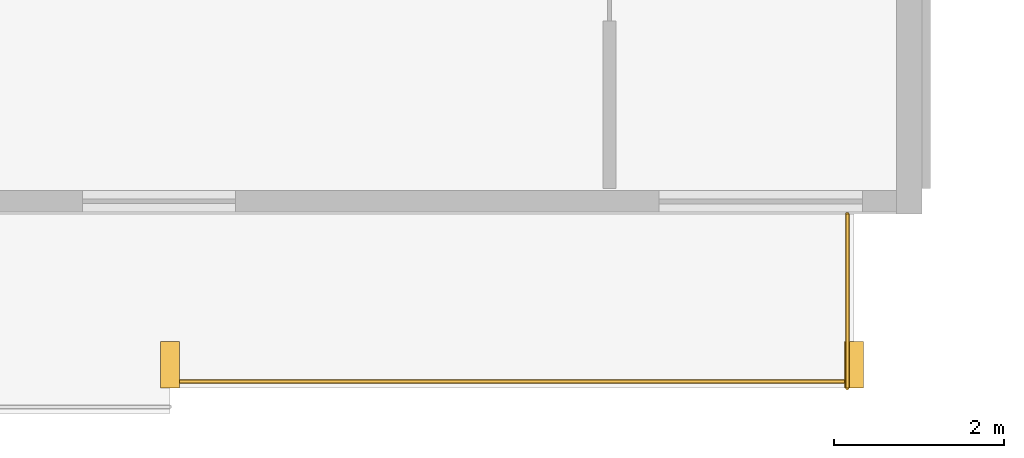
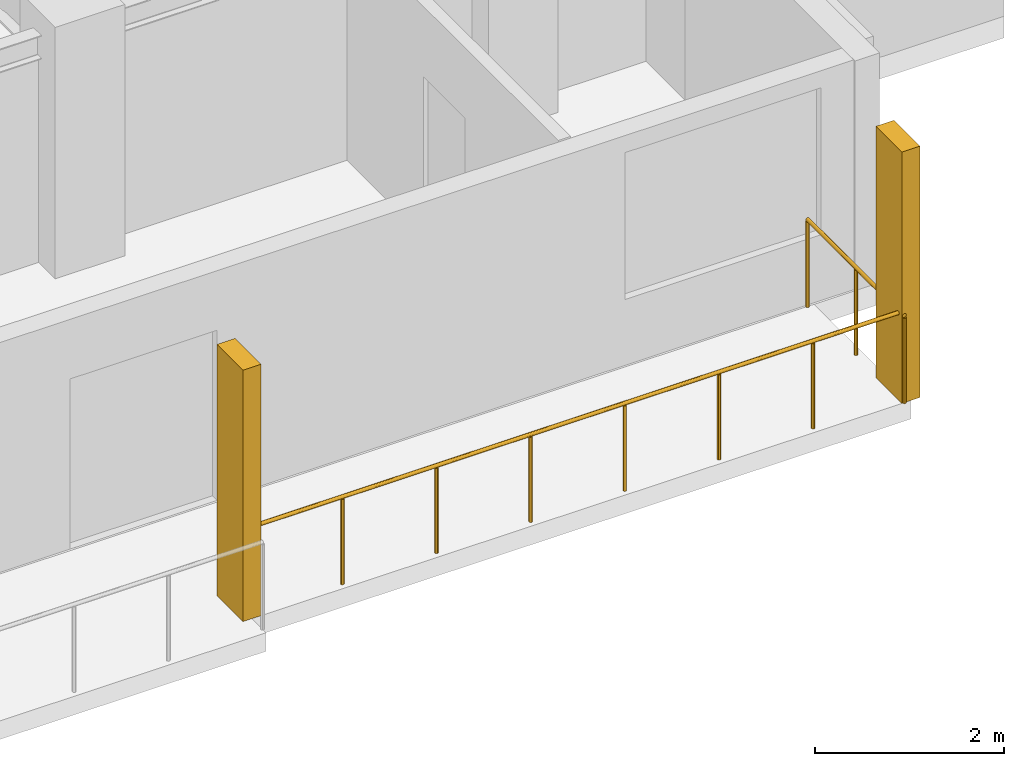
# One storey, part 20 of 22: 2 railings, 2 shading devices.
"""IFC4 building model written with IfcOpenShell, lengths in metres."""

from ifc_helpers import new_model, si_unit, direction, frame, origin, origin_2d, place, context, subcontext, project, spatial, rectangle, circle, extrude, material, type_object, element, save


model = new_model("IFC4")

# Units and contexts
model_context = context("Model", 3, precision=1e-05, world=origin(), true_north=direction((0.0, 1.0)))
body_context = subcontext(model_context, "Body", "Model", "MODEL_VIEW")
ifc_project = project(units=[si_unit("LENGTHUNIT", "METRE"), si_unit("AREAUNIT", "SQUARE_METRE"), si_unit("VOLUMEUNIT", "CUBIC_METRE"), si_unit("PLANEANGLEUNIT", "RADIAN"), si_unit("MASSUNIT", "GRAM", prefix="KILO")], contexts=[model_context])

# Site, building, storey
site_placement = place(None, origin())
site = spatial("IfcSite", under=ifc_project, at=site_placement, CompositionType="ELEMENT")
building_placement = place(site_placement, origin())
building = spatial("IfcBuilding", under=site, at=building_placement, Name="Korimba Cascade Residences", CompositionType="ELEMENT")
storey_placement = place(building_placement, frame((0.0, 0.0, 132.800048828125)))
storey = spatial("IfcBuildingStorey", under=building, at=storey_placement, Name="L38", CompositionType="ELEMENT", Elevation=132.800048828125)

# Railings
ifc_material_1 = material(Name="Laminated Glass and Bronze Balustrade", Category="glass")
railing_type = type_object("IfcRailingType", Name="RLG-LOG-1150", PredefinedType="BALUSTRADE", material=ifc_material_1)
railing_1_placement = place(storey_placement, frame((121.843017578125, -10.969970703125, 0.0)))
element("IfcRailing", 1, at=railing_1_placement, inside=storey, type_object=railing_type, Name="L38 Perimeter Guardrail RLG-L38-T2-LOG-06", PredefinedType="BALUSTRADE", context=body_context, shape_type="SweptSolid", body=[
    extrude(circle(Radius=0.02392578125, at=origin_2d()), frame((0.0, 0.0, 1.1259765625), z_axis=(1.0, 0.0, 0.0), x_axis=(0.0, 1.0, 0.0)), (0.0, 0.0, 1.0), 8.056884765625),
    extrude(circle(Radius=0.02099609375, at=origin_2d()), origin(), (0.0, 0.0, 1.0), 1.101806640625),
    extrude(circle(Radius=0.02099609375, at=origin_2d()), frame((1.15087890625, 0.0, 0.0)), (0.0, 0.0, 1.0), 1.101806640625),
    extrude(circle(Radius=0.02099609375, at=origin_2d()), frame((2.302001953125, 0.0, 0.0)), (0.0, 0.0, 1.0), 1.101806640625),
    extrude(circle(Radius=0.02099609375, at=origin_2d()), frame((3.452880859375, 0.0, 0.0)), (0.0, 0.0, 1.0), 1.101806640625),
    extrude(circle(Radius=0.02099609375, at=origin_2d()), frame((4.60400390625, 0.0, 0.0)), (0.0, 0.0, 1.0), 1.101806640625),
    extrude(circle(Radius=0.02099609375, at=origin_2d()), frame((5.7548828125, 0.0, 0.0)), (0.0, 0.0, 1.0), 1.101806640625),
    extrude(circle(Radius=0.02099609375, at=origin_2d()), frame((6.906005859375, 0.0, 0.0)), (0.0, 0.0, 1.0), 1.101806640625),
    extrude(circle(Radius=0.02099609375, at=origin_2d()), frame((8.056884765625, 0.0, 0.0)), (0.0, 0.0, 1.0), 1.101806640625),
])
railing_2_placement = place(storey_placement, frame((129.820068359375, -11.050048828125, 0.0)))
element("IfcRailing", 2, at=railing_2_placement, inside=storey, type_object=railing_type, Name="L38 Perimeter Guardrail RLG-L38-T2-LOG-07", PredefinedType="BALUSTRADE", context=body_context, shape_type="SweptSolid", body=[
    extrude(circle(Radius=0.02392578125, at=origin_2d()), frame((0.0, 0.0, 1.1259765625), z_axis=(0.0, 1.0, 0.0), x_axis=(-1.0, 0.0, 0.0)), (0.0, 0.0, 1.0), 2.050048828125),
    extrude(circle(Radius=0.02099609375, at=origin_2d()), origin(), (0.0, 0.0, 1.0), 1.101806640625),
    extrude(circle(Radius=0.02099609375, at=origin_2d()), frame((0.0, 1.02490234375, 0.0)), (0.0, 0.0, 1.0), 1.101806640625),
    extrude(circle(Radius=0.02099609375, at=origin_2d()), frame((0.0, 2.050048828125, 0.0)), (0.0, 0.0, 1.0), 1.101806640625),
])

# Shading devices
ifc_material_2 = material(Name="Honed Sandstone Precast Fin", Category="masonry")
shading_device_type = type_object("IfcShadingDeviceType", Name="SHD-FIN-550", PredefinedType="USERDEFINED", material=ifc_material_2)
for number, where, z_axis, x_axis, name in (
    (3, (121.843017578125, -10.77490234375, 0.0), (0.0, 0.0, 1.0), (1.0, 0.0, 0.0), "L38 T2 Warm-Stone Loggia Fin 7"),
    (4, (129.89990234375, -10.77490234375, 0.0), (0.0, 0.0, 1.0), (1.0, 0.0, 0.0), "L38 T2 Warm-Stone Loggia Fin 8"),
):
    element("IfcShadingDevice", number, at=place(storey_placement, frame(where, z_axis=z_axis, x_axis=x_axis)), inside=storey, type_object=shading_device_type, Name=name, ObjectType="FIN", PredefinedType="USERDEFINED", context=body_context, shape_type="SweptSolid", body=[
        extrude(rectangle(XDim=0.219970703125, YDim=0.550048828125, at=origin_2d()), origin(), (0.0, 0.0, 1.0), 3.25),
    ])

save(model, "model.ifc")
